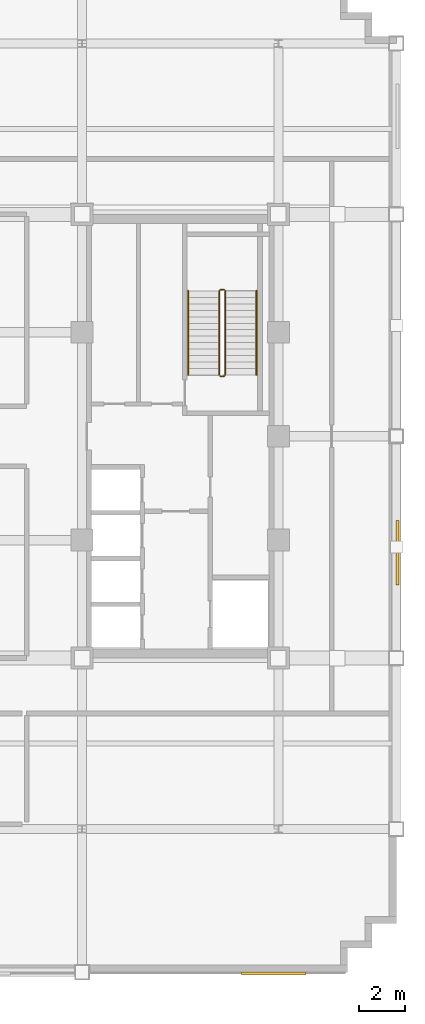
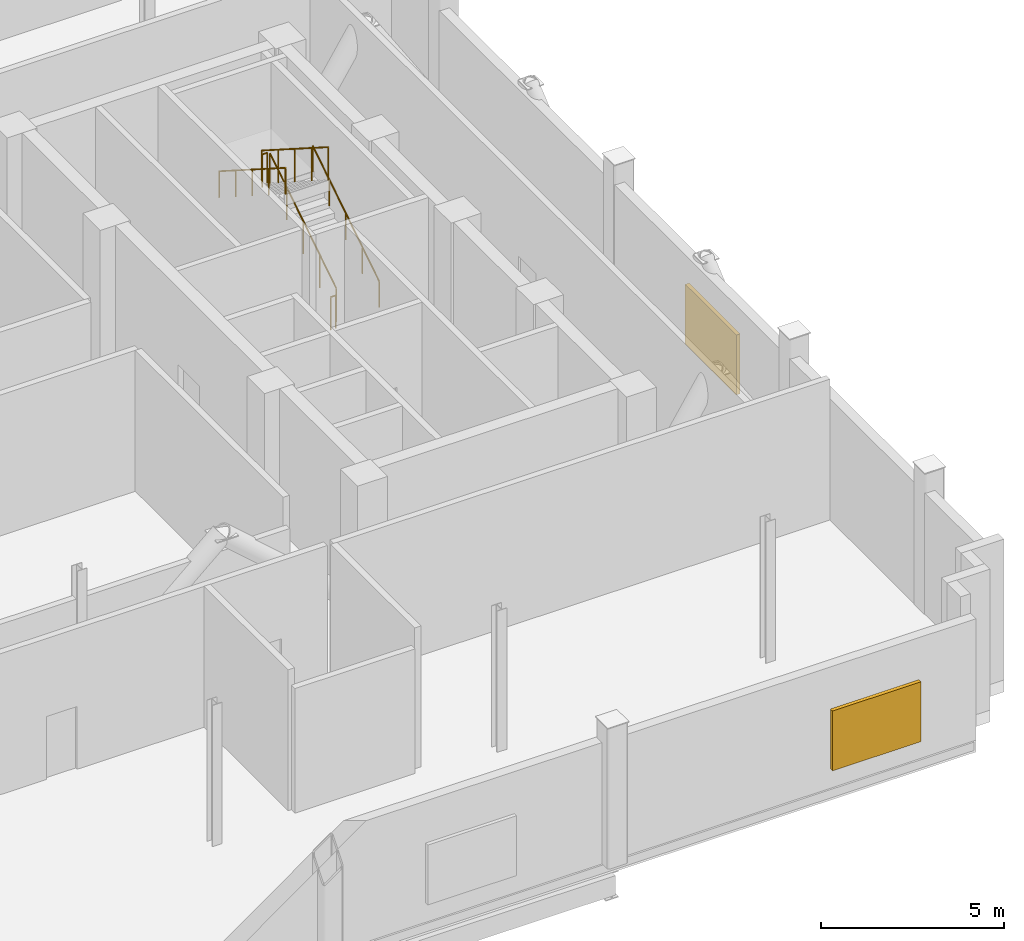
# One storey, part 12 of 13: 6 railings, 2 shading devices.
"""IFC4 building model written with IfcOpenShell, lengths in metres."""

import ifcopenshell
import ifcopenshell.guid

model = None  # the IFC model being written
_history = None  # IfcOwnerHistory: only IFC2X3 demands one
_inside = {}  # id of a spatial element -> (the spatial element, [elements in it])
_under = {}  # id of a project, library or spatial element -> (it, [spatial elements below it])
_declared = {}  # id of a project -> (the project, [libraries it declares])
_typed = {}  # id of a type object -> (the type object, [elements of that type])
_made_of = {}  # id of a material, layer set ... -> (it, [elements and type objects made of it])


def new_model(schema):
    """Start an empty IFC model of exactly this schema.

    Asked for "IFC4X3", IfcOpenShell would pick the latest addendum, in which some entities
    have other attributes; the version numbers below select the first issue.
    IFC2X3 requires an IfcOwnerHistory on every rooted entity: one is made here for all.
    """
    global model, _history
    if schema == "IFC4X3":
        model = ifcopenshell.file(schema_version=(4, 3, 0, 0))
    else:
        model = ifcopenshell.file(schema=schema)
    _inside.clear()
    _under.clear()
    _declared.clear()
    _typed.clear()
    _made_of.clear()
    _history = None
    if model.schema == "IFC2X3":
        org = make("IfcOrganization", Name="unknown")
        user = make(
            "IfcPersonAndOrganization",
            ThePerson=make("IfcPerson", FamilyName="unknown"),
            TheOrganization=org,
        )
        app = make(
            "IfcApplication",
            ApplicationDeveloper=org,
            Version="unknown",
            ApplicationFullName="unknown",
            ApplicationIdentifier="unknown",
        )
        _history = make(
            "IfcOwnerHistory",
            OwningUser=user,
            OwningApplication=app,
            ChangeAction="ADDED",
            CreationDate=0,
        )
    return model


def make(cls, **values):
    """One entity of the class cls with the attributes given. An attribute that is None is left unset."""
    return model.create_entity(
        cls, **{name: value for name, value in values.items() if value is not None}
    )


def rooted(cls, **values):
    """An entity with a GlobalId (a new one), such as an element, a storey or a relation."""
    return make(cls, GlobalId=ifcopenshell.guid.new(), OwnerHistory=_history, **values)


def si_unit(unit_type, name, prefix=None):
    """IfcSIUnit, for example si_unit("LENGTHUNIT", "METRE", prefix="MILLI")."""
    return make("IfcSIUnit", UnitType=unit_type, Prefix=prefix, Name=name)


def assignment(units):
    """IfcUnitAssignment: the units of a project."""
    return None if units is None else make("IfcUnitAssignment", Units=units)


def point(xyz):
    """IfcCartesianPoint."""
    return None if xyz is None else make("IfcCartesianPoint", Coordinates=xyz)


def direction(xyz):
    """IfcDirection."""
    return None if xyz is None else make("IfcDirection", DirectionRatios=xyz)


def frame(location, z_axis=None, x_axis=None):
    """IfcAxis2Placement3D, a coordinate frame: its origin and axes. An axis left out is left unset."""
    return make(
        "IfcAxis2Placement3D",
        Location=point(location),
        Axis=direction(z_axis),
        RefDirection=direction(x_axis),
    )


def frame_2d(location, x_axis=None):
    """IfcAxis2Placement2D, a coordinate frame in the plane: its origin and x axis."""
    return make(
        "IfcAxis2Placement2D", Location=point(location), RefDirection=direction(x_axis)
    )


def origin():
    """The frame at (0, 0, 0) with its axes left unset."""
    return frame((0.0, 0.0, 0.0))


def origin_2d():
    """The frame at (0, 0) in the plane with its x axis left unset."""
    return frame_2d((0.0, 0.0))


def place(relative_to, where):
    """IfcLocalPlacement: puts the frame where relative to a parent placement (None: the world)."""
    return make(
        "IfcLocalPlacement", PlacementRelTo=relative_to, RelativePlacement=where
    )


def context(
    kind, dimensions, precision=None, world=None, true_north=None, identifier=None
):
    """IfcGeometricRepresentationContext, for example the 3D "Model" context."""
    return make(
        "IfcGeometricRepresentationContext",
        ContextIdentifier=identifier,
        ContextType=kind,
        CoordinateSpaceDimension=dimensions,
        Precision=precision,
        WorldCoordinateSystem=world,
        TrueNorth=true_north,
    )


def subcontext(parent, identifier, kind, view, scale=None):
    """IfcGeometricRepresentationSubContext, for example "Body" below "Model"."""
    return make(
        "IfcGeometricRepresentationSubContext",
        ContextIdentifier=identifier,
        ContextType=kind,
        ParentContext=parent,
        TargetScale=scale,
        TargetView=view,
    )


def project(units=None, contexts=None):
    """IfcProject with its units and contexts."""
    return rooted(
        "IfcProject",
        Name="project",
        RepresentationContexts=contexts,
        UnitsInContext=assignment(units),
    )


def spatial(cls, under=None, at=None, **own):
    """A site, building, storey or space (cls), placed at a placement, below another one or the project."""
    s = rooted(cls, ObjectPlacement=at, **own)
    if under is not None:
        _under.setdefault(under.id(), (under, []))[1].append(s)
    return s


def profile(cls, at=None, kind="AREA", **sizes):
    """A parametric profile (cls). Its sizes go by their IFC names, for example OverallWidth=200.0."""
    return make(cls, ProfileType=kind, Position=at, **sizes)


def rectangle(**sizes):
    """IfcRectangleProfileDef."""
    return profile("IfcRectangleProfileDef", **sizes)


def circle(**sizes):
    """IfcCircleProfileDef."""
    return profile("IfcCircleProfileDef", **sizes)


def extrude(swept, where, along, depth):
    """IfcExtrudedAreaSolid: the profile swept, set in the frame where, extruded along a direction by depth."""
    return make(
        "IfcExtrudedAreaSolid",
        SweptArea=swept,
        Position=where,
        ExtrudedDirection=direction(along),
        Depth=depth,
    )


def shape(context_of_items, identifier, shape_type, items):
    """IfcShapeRepresentation: the items that make up one representation, for example the "Body"."""
    return make(
        "IfcShapeRepresentation",
        ContextOfItems=context_of_items,
        RepresentationIdentifier=identifier,
        RepresentationType=shape_type,
        Items=items,
    )


def source(mapping_origin, context_of_items, identifier, shape_type, items):
    """IfcRepresentationMap: a shape defined once, which mapped items show again and again."""
    return make(
        "IfcRepresentationMap",
        MappingOrigin=mapping_origin,
        MappedRepresentation=shape(context_of_items, identifier, shape_type, items),
    )


def transform(
    local_origin,
    x_axis=None,
    y_axis=None,
    z_axis=None,
    scale=None,
    scale2=None,
    scale3=None,
    uniform=True,
):
    """IfcCartesianTransformationOperator3D, or its non-uniform kind. x_axis, y_axis, z_axis: its Axis1, 2, 3."""
    if uniform:
        return make(
            "IfcCartesianTransformationOperator3D",
            Axis1=direction(x_axis),
            Axis2=direction(y_axis),
            LocalOrigin=point(local_origin),
            Scale=scale,
            Axis3=direction(z_axis),
        )
    return make(
        "IfcCartesianTransformationOperator3DnonUniform",
        Axis1=direction(x_axis),
        Axis2=direction(y_axis),
        LocalOrigin=point(local_origin),
        Scale=scale,
        Axis3=direction(z_axis),
        Scale2=scale2,
        Scale3=scale3,
    )


def mapped(mapping_source, mapping_target):
    """IfcMappedItem: shows the shape of a source again, moved by a transform."""
    return make(
        "IfcMappedItem", MappingSource=mapping_source, MappingTarget=mapping_target
    )


def material(Name=None, Category=None):
    """IfcMaterial."""
    return make("IfcMaterial", Name=Name, Category=Category)


def made_of(thing, what):
    """Note that an element or type object is made of a material, layer set ...; save() writes the relation."""
    if what is not None:
        _made_of.setdefault(what.id(), (what, []))[1].append(thing)
    return thing


def type_object(cls, material=None, **own):
    """A type object (cls), such as IfcWallType, which elements share."""
    return made_of(rooted(cls, **own), material)


def type_shapes(of_type, sources):
    """Give a type object the sources (RepresentationMaps) that its elements show as mapped items."""
    of_type.RepresentationMaps = sources


def element(
    cls,
    number,
    at=None,
    inside=None,
    cuts=None,
    type_object=None,
    material=None,
    context=None,
    identifier="Body",
    shape_type=None,
    held_by="IfcProductDefinitionShape",
    body=None,
    shapes=None,
    **own,
):
    """One element of the class cls, such as IfcWall. Its Tag is "e" and its number.

    at: its placement. inside: the storey or other place that contains it. cuts: it is an
    opening in that element (IfcRelVoidsElement). A single representation is given by context,
    identifier, shape_type and body (its items); several are given by shapes. held_by: the class
    of the entity that holds the representations. save() writes the other relations.
    """
    e = rooted(cls, Tag="e%d" % number, ObjectPlacement=at, **own)
    if body is not None:
        shapes = [shape(context, identifier, shape_type, body)]
    if shapes is not None:
        e.Representation = make(held_by, Representations=shapes)
    if inside is not None:
        _inside.setdefault(inside.id(), (inside, []))[1].append(e)
    if cuts is not None:
        rooted(
            "IfcRelVoidsElement", RelatingBuildingElement=cuts, RelatedOpeningElement=e
        )
    if type_object is not None:
        _typed.setdefault(type_object.id(), (type_object, []))[1].append(e)
    return made_of(e, material)


def aggregate(whole, parts):
    """IfcRelAggregates: a whole, such as a stair, and the parts it consists of."""
    return rooted("IfcRelAggregates", RelatingObject=whole, RelatedObjects=parts)


def save(model, path):
    """Write the relations noted so far, then the file.

    IfcRelAggregates (storeys below a building ...), IfcRelContainedInSpatialStructure (elements
    in a storey), IfcRelDefinesByType, IfcRelAssociatesMaterial and IfcRelDeclares: one each for
    every whole, place, type object, material and project.
    """
    for whole, parts in _under.values():
        aggregate(whole, parts)
    for where, things in _inside.values():
        rooted(
            "IfcRelContainedInSpatialStructure",
            RelatedElements=things,
            RelatingStructure=where,
        )
    for kind, things in _typed.values():
        rooted("IfcRelDefinesByType", RelatedObjects=things, RelatingType=kind)
    for what, things in _made_of.values():
        rooted("IfcRelAssociatesMaterial", RelatedObjects=things, RelatingMaterial=what)
    for by, libraries in _declared.values():
        rooted("IfcRelDeclares", RelatingContext=by, RelatedDefinitions=libraries)
    model.write(path)


model = new_model("IFC4")

# Units and contexts
model_context = context("Model", 3, precision=1e-05, world=origin(), true_north=direction((0.0, 1.0)))
body_context = subcontext(model_context, "Body", "Model", "MODEL_VIEW")
ifc_project = project(units=[si_unit("LENGTHUNIT", "METRE"), si_unit("AREAUNIT", "SQUARE_METRE"), si_unit("VOLUMEUNIT", "CUBIC_METRE"), si_unit("PLANEANGLEUNIT", "RADIAN"), si_unit("MASSUNIT", "GRAM", prefix="KILO")], contexts=[model_context])

# Site, building, storey
site_placement = place(None, origin())
site = spatial("IfcSite", under=ifc_project, at=site_placement, CompositionType="ELEMENT")
building_placement = place(site_placement, origin())
building = spatial("IfcBuilding", under=site, at=building_placement, Name="Nuvemarco Arch Tower", CompositionType="ELEMENT")
storey_placement = place(building_placement, frame((0.0, 0.0, 185.89990234375)))
storey = spatial("IfcBuildingStorey", under=building, at=storey_placement, Name="L49", CompositionType="ELEMENT", Elevation=185.89990234375)

# Railings
ifc_material_1 = material(Name="Brushed stainless steel handrail", Category="steel")
railing_type_1 = type_object("IfcRailingType", Name="RL-HANDRAIL-900", PredefinedType="HANDRAIL", material=ifc_material_1)
railing_1_placement = place(storey_placement, frame((16.550048828125, 2.64990234375, 0.1787109375)))
element("IfcRailing", 1, at=railing_1_placement, inside=storey, type_object=railing_type_1, Name="L49 ST-2 stair handrail 1", PredefinedType="HANDRAIL", context=body_context, shape_type="SweptSolid", body=[
    extrude(circle(Radius=0.02392578125, at=origin_2d()), frame((0.0, 0.0, 0.8759765625), z_axis=(0.0, 0.843153495434, 0.537672933239), x_axis=(-1.0, 0.0, 0.0)), (0.0, 0.0, 1.0), 4.3173828125),
    extrude(circle(Radius=0.02099609375, at=origin_2d()), origin(), (0.0, 0.0, 1.0), 0.851806640625),
    extrude(circle(Radius=0.02099609375, at=origin_2d()), frame((0.0, 0.91015625, 0.580322265625)), (0.0, 0.0, 1.0), 0.851806640625),
    extrude(circle(Radius=0.02099609375, at=origin_2d()), frame((0.0, 1.820068359375, 1.16064453125)), (0.0, 0.0, 1.0), 0.851806640625),
    extrude(circle(Radius=0.02099609375, at=origin_2d()), frame((0.0, 2.72998046875, 1.740966796875)), (0.0, 0.0, 1.0), 0.851806640625),
    extrude(circle(Radius=0.02099609375, at=origin_2d()), frame((0.0, 3.64013671875, 2.3212890625)), (0.0, 0.0, 1.0), 0.851806640625),
])
railing_2_placement = place(storey_placement, frame((13.590087890625, 6.2900390625, 2.6787109375)))
element("IfcRailing", 2, at=railing_2_placement, inside=storey, type_object=railing_type_1, Name="L49 ST-2 stair handrail 2", PredefinedType="HANDRAIL", context=body_context, shape_type="SweptSolid", body=[
    extrude(circle(Radius=0.02392578125, at=origin_2d()), frame((0.0, 0.0, 0.8759765625), z_axis=(0.0, -0.843153495434, 0.537672933239), x_axis=(1.0, 0.0, 0.0)), (0.0, 0.0, 1.0), 4.3173828125),
    extrude(circle(Radius=0.02099609375, at=origin_2d()), origin(), (0.0, 0.0, 1.0), 0.851806640625),
    extrude(circle(Radius=0.02099609375, at=origin_2d()), frame((0.0, -0.91015625, 0.580322265625)), (0.0, 0.0, 1.0), 0.851806640625),
    extrude(circle(Radius=0.02099609375, at=origin_2d()), frame((0.0, -1.820068359375, 1.16064453125)), (0.0, 0.0, 1.0), 0.851806640625),
    extrude(circle(Radius=0.02099609375, at=origin_2d()), frame((0.0, -2.72998046875, 1.740966796875)), (0.0, 0.0, 1.0), 0.851806640625),
    extrude(circle(Radius=0.02099609375, at=origin_2d()), frame((0.0, -3.64013671875, 2.3212890625)), (0.0, 0.0, 1.0), 0.851806640625),
])
ifc_material_2 = material(Name="Painted balustrade steel S355", Category="steel")
railing_type_2 = type_object("IfcRailingType", Name="RL-STAIR-GUARD", PredefinedType="GUARDRAIL", material=ifc_material_2)
railing_3_placement = place(storey_placement, frame((15.199951171875, 2.64990234375, 0.1787109375)))
element("IfcRailing", 3, at=railing_3_placement, inside=storey, type_object=railing_type_2, Name="L49 ST-2 stair guard 1", PredefinedType="GUARDRAIL", context=body_context, shape_type="SweptSolid", body=[
    extrude(circle(Radius=0.02392578125, at=origin_2d()), frame((0.0, 0.0, 1.09619140625), z_axis=(0.0, 0.843153495434, 0.537672933239), x_axis=(-1.0, 0.0, 0.0)), (0.0, 0.0, 1.0), 4.3173828125),
    extrude(circle(Radius=0.02099609375, at=origin_2d()), origin(), (0.0, 0.0, 1.0), 1.072021484375),
    extrude(circle(Radius=0.02099609375, at=origin_2d()), frame((0.0, 0.91015625, 0.580322265625)), (0.0, 0.0, 1.0), 1.072021484375),
    extrude(circle(Radius=0.02099609375, at=origin_2d()), frame((0.0, 1.820068359375, 1.16064453125)), (0.0, 0.0, 1.0), 1.072021484375),
    extrude(circle(Radius=0.02099609375, at=origin_2d()), frame((0.0, 2.72998046875, 1.740966796875)), (0.0, 0.0, 1.0), 1.072021484375),
    extrude(circle(Radius=0.02099609375, at=origin_2d()), frame((0.0, 3.64013671875, 2.3212890625)), (0.0, 0.0, 1.0), 1.072021484375),
])
railing_4_placement = place(storey_placement, frame((15.14990234375, 6.340087890625, 2.5)))
element("IfcRailing", 4, at=railing_4_placement, inside=storey, type_object=railing_type_2, Name="L49 ST-2 stair guard 2", PredefinedType="GUARDRAIL", context=body_context, shape_type="SweptSolid", body=[
    extrude(circle(Radius=0.02392578125, at=origin_2d()), frame((0.0, 0.0, 1.09619140625), z_axis=(-1.0, 0.0, 0.0), x_axis=(0.0, -1.0, 0.0)), (0.0, 0.0, 1.0), 0.159912109375),
    extrude(circle(Radius=0.02099609375, at=origin_2d()), origin(), (0.0, 0.0, 1.0), 1.072021484375),
    extrude(circle(Radius=0.02099609375, at=origin_2d()), frame((-0.159912109375, 0.0, 0.0)), (0.0, 0.0, 1.0), 1.072021484375),
])
railing_5_placement = place(storey_placement, frame((14.93994140625, 6.2900390625, 2.6787109375)))
element("IfcRailing", 5, at=railing_5_placement, inside=storey, type_object=railing_type_2, Name="L49 ST-2 stair guard 3", PredefinedType="GUARDRAIL", context=body_context, shape_type="SweptSolid", body=[
    extrude(circle(Radius=0.02392578125, at=origin_2d()), frame((0.0, 0.0, 1.09619140625), z_axis=(0.0, -0.843153495434, 0.537672933239), x_axis=(1.0, 0.0, 0.0)), (0.0, 0.0, 1.0), 4.3173828125),
    extrude(circle(Radius=0.02099609375, at=origin_2d()), origin(), (0.0, 0.0, 1.0), 1.072021484375),
    extrude(circle(Radius=0.02099609375, at=origin_2d()), frame((0.0, -0.91015625, 0.580322265625)), (0.0, 0.0, 1.0), 1.072021484375),
    extrude(circle(Radius=0.02099609375, at=origin_2d()), frame((0.0, -1.820068359375, 1.16064453125)), (0.0, 0.0, 1.0), 1.072021484375),
    extrude(circle(Radius=0.02099609375, at=origin_2d()), frame((0.0, -2.72998046875, 1.740966796875)), (0.0, 0.0, 1.0), 1.072021484375),
    extrude(circle(Radius=0.02099609375, at=origin_2d()), frame((0.0, -3.64013671875, 2.3212890625)), (0.0, 0.0, 1.0), 1.072021484375),
])
railing_6_placement = place(storey_placement, frame((15.14990234375, 2.60009765625, 0.0)))
element("IfcRailing", 6, at=railing_6_placement, inside=storey, type_object=railing_type_2, Name="L49 ST-2 stair guard 4", PredefinedType="GUARDRAIL", context=body_context, shape_type="SweptSolid", body=[
    extrude(circle(Radius=0.02392578125, at=origin_2d()), frame((0.0, 0.0, 1.09619140625), z_axis=(-1.0, 0.0, 0.0), x_axis=(0.0, -1.0, 0.0)), (0.0, 0.0, 1.0), 0.159912109375),
    extrude(circle(Radius=0.02099609375, at=origin_2d()), origin(), (0.0, 0.0, 1.0), 1.072021484375),
    extrude(circle(Radius=0.02099609375, at=origin_2d()), frame((-0.159912109375, 0.0, 0.0)), (0.0, 0.0, 1.0), 1.072021484375),
])

# Shading devices
ifc_material_3 = material(Name="Anodised aluminium 6063-T6", Category="aluminium")
shading_device_type = type_object("IfcShadingDeviceType", Name="SHD-LOUVRE-PLANT", PredefinedType="JALOUSIE", material=ifc_material_3)
shared_shape = source(origin(), body_context, "Body", "SweptSolid", [
    extrude(rectangle(XDim=2.800048828125, YDim=0.1201171875, at=origin_2d()), origin(), (0.0, 0.0, 1.0), 2.0),
])
type_shapes(shading_device_type, [shared_shape])
for number, where, z_axis, x_axis, name in (
    (7, (17.300048828125, -23.2548828125, 0.650146484375), (0.0, 0.0, 1.0), (1.0, 0.0, 0.0), "L49 acoustic plant louvre panel 7"),
    (8, (22.655029296875, -5.049072265625, 0.650146484375), (0.0, 0.0, 1.0), (0.0, 1.0, 0.0), "L49 acoustic plant louvre panel 3"),
):
    element("IfcShadingDevice", number, at=place(storey_placement, frame(where, z_axis=z_axis, x_axis=x_axis)), inside=storey, type_object=shading_device_type, Name=name, PredefinedType="JALOUSIE", context=body_context, shape_type="MappedRepresentation", body=[
        mapped(shared_shape, transform((0.0, 0.0, 0.0), scale=1.0)),
    ])

save(model, "model.ifc")
